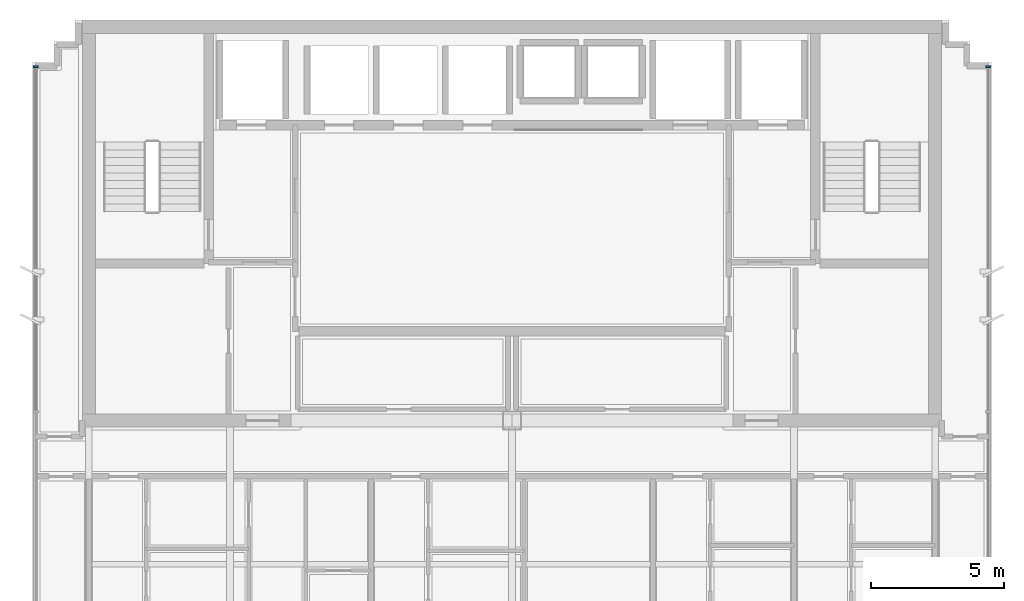
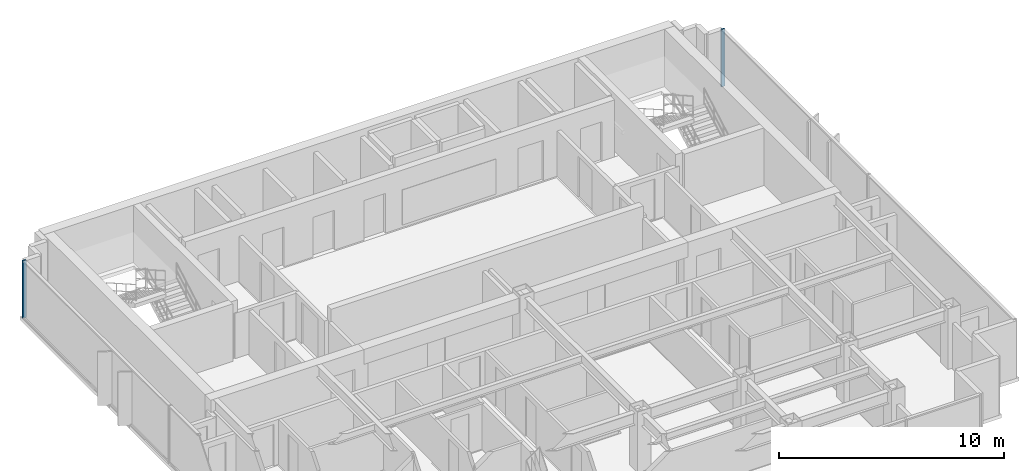
# One storey, part 4 of 10: 2 members, 2 elements without a shape of their own.
"""IFC4 building model written with IfcOpenShell, lengths in metres."""

from ifc_helpers import new_model, si_unit, direction, frame, origin, origin_2d, place, context, subcontext, project, spatial, rectangle, extrude, source, transform, mapped, material, layer, layer_set, material_profile, profile_set, type_object, element, aggregate, save


model = new_model("IFC4")

# Units and contexts
model_context = context("Model", 3, precision=1e-05, world=origin(), true_north=direction((0.0, 1.0)))
body_context = subcontext(model_context, "Body", "Model", "MODEL_VIEW")
ifc_project = project(units=[si_unit("LENGTHUNIT", "METRE"), si_unit("AREAUNIT", "SQUARE_METRE"), si_unit("VOLUMEUNIT", "CUBIC_METRE"), si_unit("PLANEANGLEUNIT", "RADIAN"), si_unit("MASSUNIT", "GRAM", prefix="KILO")], contexts=[model_context])

# Site, building, storey
site_placement = place(None, origin())
site = spatial("IfcSite", under=ifc_project, at=site_placement, CompositionType="ELEMENT")
building_placement = place(site_placement, origin())
building = spatial("IfcBuilding", under=site, at=building_placement, Name="Qianlan Lanfeng Residences", CompositionType="ELEMENT")
storey_placement = place(building_placement, frame((0.0, 0.0, 239.60009765625)))
storey = spatial("IfcBuildingStorey", under=building, at=storey_placement, Name="L66", CompositionType="ELEMENT", Elevation=239.60009765625)

# Curtain wall, member
ifc_material = material(Name="Anodised Bronze Aluminium 6063-T6", Category="aluminium")
ifc_layer = layer(ifc_material, 0.219970703125)
ifc_layer_set = layer_set([ifc_layer], Name="Anodised Bronze Aluminium 6063-T6")
curtain_wall_type = type_object("IfcCurtainWallType", Name="CW-06", PredefinedType="NOTDEFINED", material=ifc_layer_set)
curtain_wall_1_placement = place(storey_placement, origin())
curtain_wall_1 = element("IfcCurtainWall", 1, at=curtain_wall_1_placement, inside=storey, type_object=curtain_wall_type, Name="L66 Unitised Curtain Wall CWR-L66-03 (CW-06)", PredefinedType="NOTDEFINED")
ifc_material_profile = material_profile(ifc_material, rectangle(XDim=0.074951171875, YDim=0.179931640625, at=origin_2d()), Name="ALU MULLION 75x180")
ifc_profile_set = profile_set([ifc_material_profile], Name="Anodised Bronze Aluminium 6063-T6")
member_type = type_object("IfcMemberType", Name="CWM-180", PredefinedType="MULLION", material=ifc_profile_set)
shared_shape = source(origin(), body_context, "Body", "SweptSolid", [
    extrude(rectangle(XDim=0.074951171875, YDim=0.179931640625, at=origin_2d()), origin(), (0.0, 0.0, 1.0), 3.10986328125),
])
member_1_placement = place(storey_placement, frame((44.39990234375, 38.492431640625, 0.0), z_axis=(0.0, 0.0, 1.0), x_axis=(0.0, 1.0, 0.0)))
member_1 = element("IfcMember", 2, at=member_1_placement, type_object=member_type, Name="CWR-L66-03 Mullion 3", PredefinedType="MULLION", context=body_context, shape_type="MappedRepresentation", body=[
    mapped(shared_shape, transform((0.0, 0.0, 0.0), scale=1.0)),
])
aggregate(curtain_wall_1, [member_1])

curtain_wall_2_placement = place(storey_placement, origin())
curtain_wall_2 = element("IfcCurtainWall", 3, at=curtain_wall_2_placement, inside=storey, type_object=curtain_wall_type, Name="L66 Unitised Curtain Wall CWR-L66-04 (CW-06)", PredefinedType="NOTDEFINED")
member_2_placement = place(storey_placement, frame((8.60009765625, 38.492431640625, 0.0), z_axis=(0.0, 0.0, 1.0), x_axis=(0.0, -1.0, 0.0)))
member_2 = element("IfcMember", 4, at=member_2_placement, type_object=member_type, Name="CWR-L66-04 Mullion 1", PredefinedType="MULLION", context=body_context, shape_type="MappedRepresentation", body=[
    mapped(shared_shape, transform((0.0, 0.0, 0.0), scale=1.0)),
])
aggregate(curtain_wall_2, [member_2])

save(model, "model.ifc")
